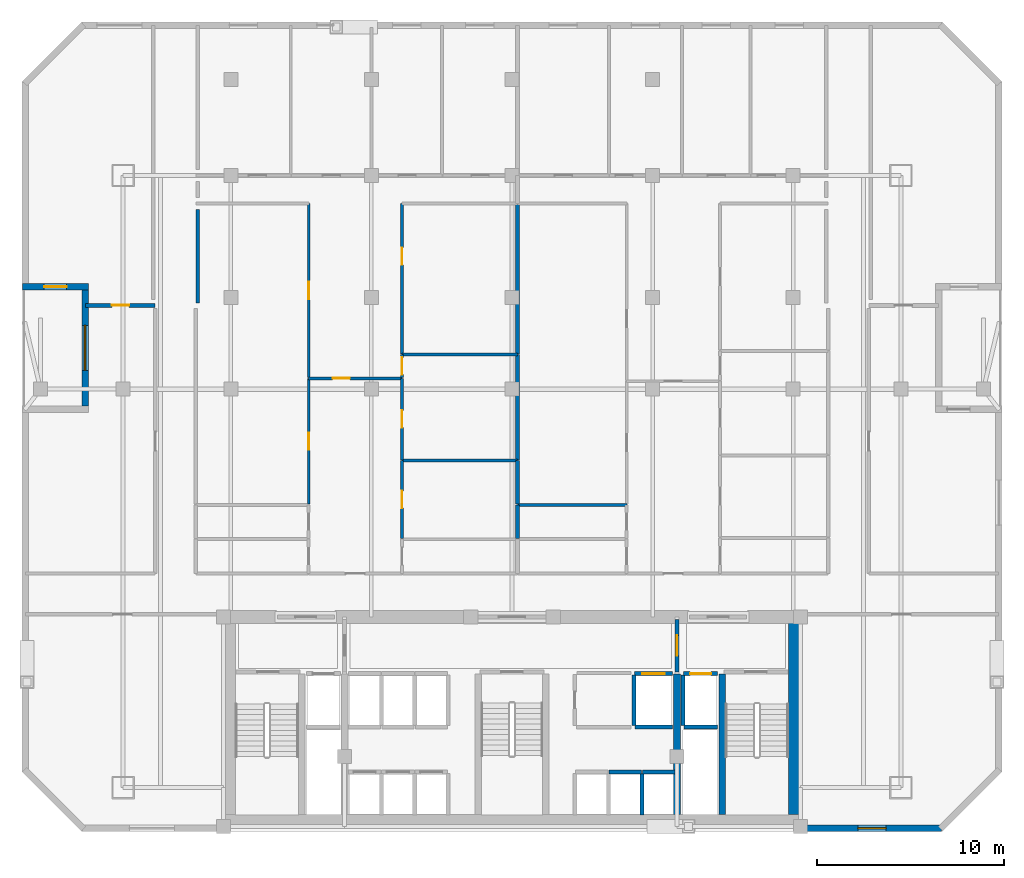
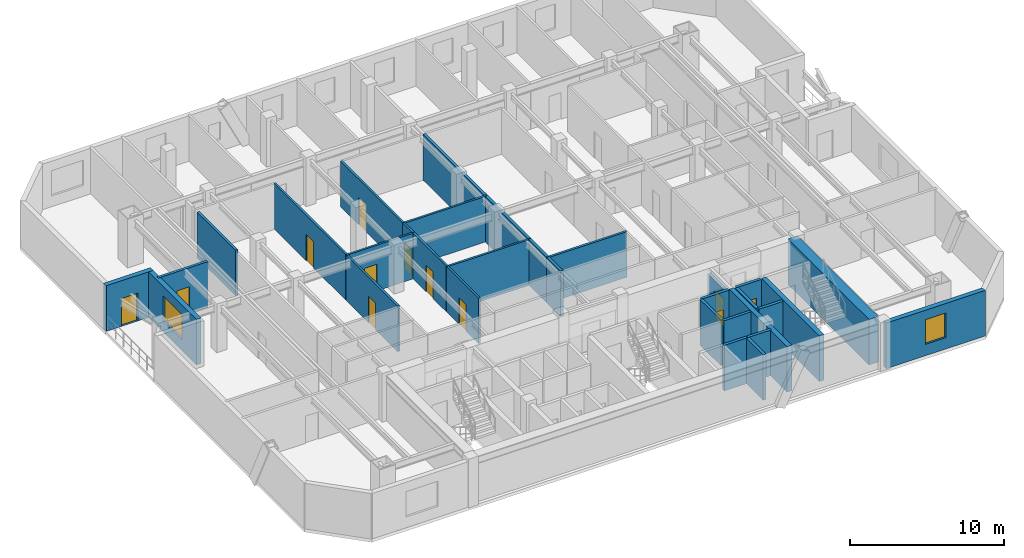
# One storey, part 4 of 9: 32 walls, 12 doors, 2 windows, 14 openings.
"""IFC4 building model written with IfcOpenShell, lengths in metres."""

from ifc_helpers import new_model, si_unit, direction, frame, frame_2d, origin, place, context, subcontext, project, spatial, rectangle, extrude, material, layer, layer_set, type_object, element, fill, save


model = new_model("IFC4")

# Units and contexts
model_context = context("Model", 3, precision=1e-05, world=origin(), true_north=direction((0.0, 1.0)))
body_context = subcontext(model_context, "Body", "Model", "MODEL_VIEW")
ifc_project = project(units=[si_unit("LENGTHUNIT", "METRE"), si_unit("AREAUNIT", "SQUARE_METRE"), si_unit("VOLUMEUNIT", "CUBIC_METRE"), si_unit("PLANEANGLEUNIT", "RADIAN"), si_unit("MASSUNIT", "GRAM", prefix="KILO")], contexts=[model_context])

# Site, building, storey
site_placement = place(None, origin())
site = spatial("IfcSite", under=ifc_project, at=site_placement, CompositionType="ELEMENT")
building_placement = place(site_placement, origin())
building = spatial("IfcBuilding", under=site, at=building_placement, Name="Ventersveld Concourse Tower", CompositionType="ELEMENT")
storey_placement = place(building_placement, frame((0.0, 0.0, 108.0)))
storey = spatial("IfcBuildingStorey", under=building, at=storey_placement, Name="L26", CompositionType="ELEMENT", Elevation=108.0)

# Walls
ifc_material_1 = material(Name="Concrete C60/75", Category="concrete")
ifc_layer_1 = layer(ifc_material_1, 0.35009765625)
ifc_layer_set_1 = layer_set([ifc_layer_1], Name="Concrete C60/75")
wall_type_1 = type_object("IfcWallType", Name="WL-CORE-350L", PredefinedType="SHEAR", material=ifc_layer_set_1)
for number, where, z_axis, x_axis, name in (
    (1, (37.550048828125, 0.919921875, 0.0), (0.0, 0.0, 1.0), (0.0, 1.0, 0.0), "L26 Core Internal Shear Web W-SVL-W"),
    (2, (39.9599609375, 0.919921875, 0.0), (0.0, 0.0, 1.0), (0.0, 1.0, 0.0), "L26 Core Internal Shear Web W-ST2-W"),
):
    element("IfcWall", number, at=place(storey_placement, frame(where, z_axis=z_axis, x_axis=x_axis)), inside=storey, type_object=wall_type_1, Name=name, PredefinedType="SHEAR", context=body_context, shape_type="SweptSolid", body=[
        extrude(rectangle(XDim=7.5, YDim=0.35009765625, at=frame_2d((3.75, 0.0))), origin(), (0.0, 0.0, 1.0), 3.60009765625),
    ])
ifc_layer_2 = layer(ifc_material_1, 0.699951171875)
ifc_layer_set_2 = layer_set([ifc_layer_2], Name="Concrete C60/75")
wall_type_2 = type_object("IfcWallType", Name="WL-CORE-700", PredefinedType="SHEAR", material=ifc_layer_set_2)
wall_1_placement = place(storey_placement, frame((43.85009765625, 0.919921875, 0.0), z_axis=(0.0, 0.0, 1.0), x_axis=(0.0, 1.0, 0.0)))
element("IfcWall", 3, at=wall_1_placement, inside=storey, type_object=wall_type_2, Name="L26 Rear Core East Shear Wall", PredefinedType="SHEAR", context=body_context, shape_type="SweptSolid", body=[
    extrude(rectangle(XDim=10.530029296875, YDim=0.699951171875, at=frame_2d((5.26513671875, 0.0))), origin(), (0.0, 0.0, 1.0), 3.60009765625),
])
ifc_material_2 = material(Name="Fire-rated autoclaved aerated masonry blockwork", Category="masonry")
ifc_layer_3 = layer(ifc_material_2, 0.179931640625)
ifc_layer_set_3 = layer_set([ifc_layer_3], Name="Fire-rated autoclaved aerated masonry blockwork")
wall_type_3 = type_object("IfcWallType", Name="WL-CORR-180", PredefinedType="PARTITIONING", material=ifc_layer_set_3)
wall_2_placement = place(storey_placement, frame((11.97998046875, 28.2099609375, 0.0), z_axis=(0.0, 0.0, 1.0), x_axis=(0.0, 1.0, 0.0)))
element("IfcWall", 4, at=wall_2_placement, inside=storey, type_object=wall_type_3, Name="L26 Room Enclosure Wall SP-L26-26N1-OFFL0", PredefinedType="PARTITIONING", context=body_context, shape_type="SweptSolid", body=[
    extrude(rectangle(XDim=4.965087890625, YDim=0.179931640625, at=frame_2d((2.482421875, 0.0))), origin(), (0.0, 0.0, 1.0), 3.60009765625),
])

# Wall, opening, door
ifc_layer_4 = layer(ifc_material_2, 0.199951171875)
ifc_layer_set_4 = layer_set([ifc_layer_4], Name="Fire-rated autoclaved aerated masonry blockwork")
wall_type_4 = type_object("IfcWallType", Name="WL-DEMISE-200", PredefinedType="PARTITIONING", material=ifc_layer_set_4)
wall_3_placement = place(storey_placement, frame((6.010009765625, 28.070068359375, 0.0), z_axis=(0.0, 0.0, 1.0), x_axis=(1.0, 0.0, 0.0)))
wall_3 = element("IfcWall", 5, at=wall_3_placement, inside=storey, type_object=wall_type_4, Name="L26 Interior Partition SP-L26-NWLNG1-SP-L26-NWLNG2", PredefinedType="PARTITIONING", context=body_context, shape_type="SweptSolid", body=[
    extrude(rectangle(XDim=3.705078125, YDim=0.199951171875, at=frame_2d((1.8525390625, 0.0))), origin(), (0.0, 0.0, 1.0), 3.60009765625),
])
opening_1_placement = place(wall_3_placement, frame((1.392578125, 0.0, 0.0)))
opening_1 = element("IfcOpeningElement", 6, at=opening_1_placement, cuts=wall_3, Name="Opening ID1", PredefinedType="OPENING", context=body_context, shape_type="SweptSolid", body=[
    extrude(rectangle(XDim=0.919921875, YDim=2.10009765625, at=frame_2d((0.4599609375, 1.050048828125))), frame((0.0, 0.10986328125, 0.0), z_axis=(0.0, -1.0, 0.0), x_axis=(1.0, 0.0, 0.0)), (0.0, 0.0, 1.0), 0.219970703125),
])
ifc_material_3 = material(Name="Solid-core hardwood veneer timber", Category="wood")
door_type_1 = type_object("IfcDoorType", Name="DR-ROOM-092", OperationType="NOTDEFINED", PredefinedType="DOOR", material=ifc_material_3)
door_1_placement = place(opening_1_placement, origin())
door_1 = element("IfcDoor", 7, at=door_1_placement, inside=storey, type_object=door_type_1, Name="L26 Interior Door SP-L26-NWLNG1 to SP-L26-NWLNG2 (D-L26-1281)", OperationType="SINGLE_SWING_LEFT", OverallHeight=2.10009765625, OverallWidth=0.919921875, PredefinedType="DOOR", context=body_context, shape_type="SweptSolid", body=[
    extrude(rectangle(XDim=0.919921875, YDim=2.10009765625, at=frame_2d((0.4599609375, 1.050048828125))), frame((0.0, 0.02490234375, 0.0), z_axis=(0.0, -1.0, 0.0), x_axis=(1.0, 0.0, 0.0)), (0.0, 0.0, 1.0), 0.050048828125),
])
fill(opening_1, door_1)

# Walls
wall_4_placement = place(storey_placement, frame((29.036865234375, 15.635009765625, 0.0), z_axis=(0.0, 0.0, 1.0), x_axis=(0.0, 1.0, 0.0)))
element("IfcWall", 8, at=wall_4_placement, inside=storey, type_object=wall_type_4, Name="L26 Interior Partition SP-L26-26N1-MEDR1-SP-L26-26N2-PWDL2", PredefinedType="PARTITIONING", context=body_context, shape_type="SweptSolid", body=[
    extrude(rectangle(XDim=1.800048828125, YDim=0.199951171875, at=frame_2d((0.89990234375, 0.0))), origin(), (0.0, 0.0, 1.0), 3.60009765625),
])
wall_5_placement = place(storey_placement, frame((29.036865234375, 17.465087890625, 0.0), z_axis=(0.0, 0.0, 1.0), x_axis=(0.0, 1.0, 0.0)))
element("IfcWall", 9, at=wall_5_placement, inside=storey, type_object=wall_type_4, Name="L26 Interior Partition SP-L26-26N1-MEDR1-SP-L26-26N2-OFFL0", PredefinedType="PARTITIONING", context=body_context, shape_type="SweptSolid", body=[
    extrude(rectangle(XDim=2.33203125, YDim=0.199951171875, at=frame_2d((1.166015625, 0.0))), origin(), (0.0, 0.0, 1.0), 3.60009765625),
])
wall_6_placement = place(storey_placement, frame((29.036865234375, 19.826904296875, 0.0), z_axis=(0.0, 0.0, 1.0), x_axis=(0.0, 1.0, 0.0)))
element("IfcWall", 10, at=wall_6_placement, inside=storey, type_object=wall_type_4, Name="L26 Interior Partition SP-L26-26N1-DENS-SP-L26-26N2-OFFL0", PredefinedType="PARTITIONING", context=body_context, shape_type="SweptSolid", body=[
    extrude(rectangle(XDim=5.625, YDim=0.199951171875, at=frame_2d((2.8125, 0.0))), origin(), (0.0, 0.0, 1.0), 3.60009765625),
])
wall_7_placement = place(storey_placement, frame((29.036865234375, 25.48193359375, 0.0), z_axis=(0.0, 0.0, 1.0), x_axis=(0.0, 1.0, 0.0)))
element("IfcWall", 11, at=wall_7_placement, inside=storey, type_object=wall_type_4, Name="L26 Interior Partition SP-L26-26N1-DENS2-SP-L26-26N2-OFFL0", PredefinedType="PARTITIONING", context=body_context, shape_type="SweptSolid", body=[
    extrude(rectangle(XDim=7.983154296875, YDim=0.199951171875, at=frame_2d((3.99169921875, 0.0))), origin(), (0.0, 0.0, 1.0), 3.60009765625),
])
ifc_layer_5 = layer(ifc_material_2, 0.219970703125)
ifc_layer_set_5 = layer_set([ifc_layer_5], Name="Fire-rated autoclaved aerated masonry blockwork")
wall_type_5 = type_object("IfcWallType", Name="WL-HOIST-220", PredefinedType="SOLIDWALL", material=ifc_layer_set_5)
wall_8_placement = place(storey_placement, frame((37.919921875, 5.590087890625, 0.0), z_axis=(0.0, 0.0, 1.0), x_axis=(1.0, 0.0, 0.0)))
element("IfcWall", 12, at=wall_8_placement, inside=storey, type_object=wall_type_5, Name="L26 Lift Hoistway Back Wall FFL-02", PredefinedType="SOLIDWALL", context=body_context, shape_type="SweptSolid", body=[
    extrude(rectangle(XDim=1.780029296875, YDim=0.219970703125, at=frame_2d((0.89013671875, 0.0))), origin(), (0.0, 0.0, 1.0), 3.60009765625),
])
wall_9_placement = place(storey_placement, frame((37.8798828125, 5.64990234375, 0.0), z_axis=(0.0, 0.0, 1.0), x_axis=(0.0, 1.0, 0.0)))
element("IfcWall", 13, at=wall_9_placement, inside=storey, type_object=wall_type_5, Name="L26 Lift Hoistway Side Wall FFL-02W", PredefinedType="SOLIDWALL", context=body_context, shape_type="SweptSolid", body=[
    extrude(rectangle(XDim=2.7001953125, YDim=0.219970703125, at=frame_2d((1.35009765625, 0.0))), origin(), (0.0, 0.0, 1.0), 3.60009765625),
])

# Wall, opening, door
wall_10_placement = place(storey_placement, frame((37.89990234375, 8.429931640625, 0.0), z_axis=(0.0, 0.0, 1.0), x_axis=(1.0, 0.0, 0.0)))
wall_10 = element("IfcWall", 14, at=wall_10_placement, inside=storey, type_object=wall_type_5, Name="L26 Lift Hoistway Front Wall FFL-02", PredefinedType="SOLIDWALL", context=body_context, shape_type="SweptSolid", body=[
    extrude(rectangle(XDim=1.820068359375, YDim=0.219970703125, at=frame_2d((0.91015625, 0.0))), origin(), (0.0, 0.0, 1.0), 3.60009765625),
])
opening_2_placement = place(wall_10_placement, frame((0.35009765625, 0.0, 0.0)))
opening_2 = element("IfcOpeningElement", 15, at=opening_2_placement, cuts=wall_10, Name="Opening LD1", PredefinedType="OPENING", context=body_context, shape_type="SweptSolid", body=[
    extrude(rectangle(XDim=1.1201171875, YDim=2.25, at=frame_2d((0.56005859375, 1.125))), frame((0.0, 0.1201171875, 0.0), z_axis=(0.0, -1.0, 0.0), x_axis=(1.0, 0.0, 0.0)), (0.0, 0.0, 1.0), 0.239990234375),
])
ifc_material_4 = material(Name="Brushed stainless steel 316", Category="steel")
door_type_2 = type_object("IfcDoorType", Name="LD-FF-112", OperationType="SLIDING_TO_LEFT", PredefinedType="DOOR", material=ifc_material_4)
door_2_placement = place(opening_2_placement, origin())
door_2 = element("IfcDoor", 16, at=door_2_placement, inside=storey, type_object=door_type_2, Name="L26 Lift landing door FFL-02 (LD-L26-FFL-02)", OperationType="SLIDING_TO_RIGHT", OverallHeight=2.25, OverallWidth=1.1201171875, PredefinedType="DOOR", context=body_context, shape_type="SweptSolid", body=[
    extrude(rectangle(XDim=1.1201171875, YDim=2.25, at=frame_2d((0.56005859375, 1.125))), frame((0.0, 0.02490234375, 0.0), z_axis=(0.0, -1.0, 0.0), x_axis=(1.0, 0.0, 0.0)), (0.0, 0.0, 1.0), 0.050048828125),
])
fill(opening_2, door_2)

# Walls
wall_11_placement = place(storey_placement, frame((35.300048828125, 5.590087890625, 0.0), z_axis=(0.0, 0.0, 1.0), x_axis=(1.0, 0.0, 0.0)))
element("IfcWall", 17, at=wall_11_placement, inside=storey, type_object=wall_type_5, Name="L26 Lift Hoistway Back Wall SVL-01", PredefinedType="SOLIDWALL", context=body_context, shape_type="SweptSolid", body=[
    extrude(rectangle(XDim=2.0, YDim=0.219970703125, at=frame_2d((1.0, 0.0))), origin(), (0.0, 0.0, 1.0), 3.60009765625),
])
wall_12_placement = place(storey_placement, frame((35.260009765625, 5.64990234375, 0.0), z_axis=(0.0, 0.0, 1.0), x_axis=(0.0, 1.0, 0.0)))
element("IfcWall", 18, at=wall_12_placement, inside=storey, type_object=wall_type_5, Name="L26 Lift Hoistway Side Wall SVL-01W", PredefinedType="SOLIDWALL", context=body_context, shape_type="SweptSolid", body=[
    extrude(rectangle(XDim=2.7001953125, YDim=0.219970703125, at=frame_2d((1.35009765625, 0.0))), origin(), (0.0, 0.0, 1.0), 3.60009765625),
])

# Wall, opening, door
wall_13_placement = place(storey_placement, frame((35.280029296875, 8.429931640625, 0.0), z_axis=(0.0, 0.0, 1.0), x_axis=(1.0, 0.0, 0.0)))
wall_13 = element("IfcWall", 19, at=wall_13_placement, inside=storey, type_object=wall_type_5, Name="L26 Lift Hoistway Front Wall SVL-01", PredefinedType="SOLIDWALL", context=body_context, shape_type="SweptSolid", body=[
    extrude(rectangle(XDim=2.0400390625, YDim=0.219970703125, at=frame_2d((1.02001953125, 0.0))), origin(), (0.0, 0.0, 1.0), 3.60009765625),
])
opening_3_placement = place(wall_13_placement, frame((0.429931640625, 0.0, 0.0)))
opening_3 = element("IfcOpeningElement", 20, at=opening_3_placement, cuts=wall_13, Name="Opening LD2", PredefinedType="OPENING", context=body_context, shape_type="SweptSolid", body=[
    extrude(rectangle(XDim=1.179931640625, YDim=2.199951171875, at=frame_2d((0.58984375, 1.10009765625))), frame((0.0, 0.1201171875, 0.0), z_axis=(0.0, -1.0, 0.0), x_axis=(1.0, 0.0, 0.0)), (0.0, 0.0, 1.0), 0.239990234375),
])
door_type_3 = type_object("IfcDoorType", Name="LD-PAX-118", OperationType="SLIDING_TO_LEFT", PredefinedType="DOOR", material=ifc_material_4)
door_3_placement = place(opening_3_placement, origin())
door_3 = element("IfcDoor", 21, at=door_3_placement, inside=storey, type_object=door_type_3, Name="L26 Lift landing door SVL-01 (LD-L26-SVL-01)", OperationType="SLIDING_TO_LEFT", OverallHeight=2.199951171875, OverallWidth=1.179931640625, PredefinedType="DOOR", context=body_context, shape_type="SweptSolid", body=[
    extrude(rectangle(XDim=1.179931640625, YDim=2.199951171875, at=frame_2d((0.58984375, 1.10009765625))), frame((0.0, 0.02490234375, 0.0), z_axis=(0.0, -1.0, 0.0), x_axis=(1.0, 0.0, 0.0)), (0.0, 0.0, 1.0), 0.050048828125),
])
fill(opening_3, door_3)

# Walls
wall_14_placement = place(storey_placement, frame((35.679931640625, 0.89990234375, 0.0), z_axis=(0.0, 0.0, 1.0), x_axis=(0.0, 1.0, 0.0)))
element("IfcWall", 22, at=wall_14_placement, inside=storey, type_object=wall_type_5, Name="L26 Lift Hoistway Side Wall PM-02E", PredefinedType="SOLIDWALL", context=body_context, shape_type="SweptSolid", body=[
    extrude(rectangle(XDim=2.2001953125, YDim=0.219970703125, at=frame_2d((1.10009765625, 0.0))), origin(), (0.0, 0.0, 1.0), 3.60009765625),
])
for number, where, z_axis, x_axis, name in (
    (23, (33.919921875, 3.179931640625, 0.0), (0.0, 0.0, 1.0), (1.0, 0.0, 0.0), "L26 Lift Hoistway Front Wall PM-02"),
    (24, (35.699951171875, 3.179931640625, 0.0), (0.0, 0.0, 1.0), (1.0, 0.0, 0.0), "L26 Lift Hoistway Front Wall PM-03"),
):
    element("IfcWall", number, at=place(storey_placement, frame(where, z_axis=z_axis, x_axis=x_axis)), inside=storey, type_object=wall_type_5, Name=name, PredefinedType="SOLIDWALL", context=body_context, shape_type="SweptSolid", body=[
        extrude(rectangle(XDim=1.739990234375, YDim=0.219970703125, at=frame_2d((0.8701171875, 0.0))), origin(), (0.0, 0.0, 1.0), 3.60009765625),
    ])

# Wall, opening, door
wall_15_placement = place(storey_placement, frame((37.550048828125, 8.52001953125, 0.0), z_axis=(0.0, 0.0, 1.0), x_axis=(0.0, 1.0, 0.0)))
wall_15 = element("IfcWall", 25, at=wall_15_placement, inside=storey, type_object=wall_type_5, Name="L26 Firefighting Lobby Smoke-Stop Wall FFLE-SEP", PredefinedType="SOLIDWALL", context=body_context, shape_type="SweptSolid", body=[
    extrude(rectangle(XDim=2.800048828125, YDim=0.219970703125, at=frame_2d((1.39990234375, 0.0))), origin(), (0.0, 0.0, 1.0), 3.055419921875),
])
opening_4_placement = place(wall_15_placement, frame((0.85009765625, 0.0, 0.0)))
opening_4 = element("IfcOpeningElement", 26, at=opening_4_placement, cuts=wall_15, Name="Opening FD2", PredefinedType="OPENING", context=body_context, shape_type="SweptSolid", body=[
    extrude(rectangle(XDim=1.10009765625, YDim=2.199951171875, at=frame_2d((0.550048828125, 1.10009765625))), frame((0.0, 0.1201171875, 0.0), z_axis=(0.0, -1.0, 0.0), x_axis=(1.0, 0.0, 0.0)), (0.0, 0.0, 1.0), 0.239990234375),
])
ifc_material_5 = material(Name="Galvanised painted steel", Category="steel")
door_type_4 = type_object("IfcDoorType", Name="DR-FFL-110", OperationType="NOTDEFINED", PredefinedType="DOOR", material=ifc_material_5)
door_4_placement = place(opening_4_placement, origin())
door_4 = element("IfcDoor", 27, at=door_4_placement, inside=storey, type_object=door_type_4, Name="L26 Firefighting Lobby Door FFLE-SEP (FD-L26-1270)", OperationType="SINGLE_SWING_RIGHT", OverallHeight=2.199951171875, OverallWidth=1.10009765625, PredefinedType="DOOR", context=body_context, shape_type="SweptSolid", body=[
    extrude(rectangle(XDim=1.10009765625, YDim=2.199951171875, at=frame_2d((0.550048828125, 1.10009765625))), frame((0.0, 0.02490234375, 0.0), z_axis=(0.0, -1.0, 0.0), x_axis=(1.0, 0.0, 0.0)), (0.0, 0.0, 1.0), 0.050048828125),
])
fill(opening_4, door_4)

ifc_material_6 = material(Name="Autoclaved aerated masonry blockwork", Category="masonry")
ifc_layer_6 = layer(ifc_material_6, 0.14990234375)
ifc_layer_set_6 = layer_set([ifc_layer_6], Name="Autoclaved aerated masonry blockwork")
wall_type_6 = type_object("IfcWallType", Name="WL-INT-150", PredefinedType="PARTITIONING", material=ifc_layer_set_6)
wall_16_placement = place(storey_placement, frame((17.89794921875, 24.17919921875, 0.0), z_axis=(0.0, 0.0, 1.0), x_axis=(1.0, 0.0, 0.0)))
wall_16 = element("IfcWall", 28, at=wall_16_placement, inside=storey, type_object=wall_type_6, Name="L26 Interior Partition SP-L26-26N1-FOY-SP-L26-26N1-LIV", PredefinedType="PARTITIONING", context=body_context, shape_type="SweptSolid", body=[
    extrude(rectangle(XDim=4.989990234375, YDim=0.14990234375, at=frame_2d((2.4951171875, 0.0))), origin(), (0.0, 0.0, 1.0), 3.60009765625),
])
opening_5_placement = place(wall_16_placement, frame((1.28662109375, 0.0, 0.0)))
opening_5 = element("IfcOpeningElement", 29, at=opening_5_placement, cuts=wall_16, Name="Opening ID1", PredefinedType="OPENING", context=body_context, shape_type="SweptSolid", body=[
    extrude(rectangle(XDim=0.919921875, YDim=2.10009765625, at=frame_2d((0.4599609375, 1.050048828125))), frame((0.0, 0.0849609375, 0.0), z_axis=(0.0, -1.0, 0.0), x_axis=(1.0, 0.0, 0.0)), (0.0, 0.0, 1.0), 0.169921875),
])
door_5_placement = place(opening_5_placement, origin())
door_5 = element("IfcDoor", 30, at=door_5_placement, inside=storey, type_object=door_type_1, Name="L26 Interior Door SP-L26-26N1-FOY to SP-L26-26N1-LIV (D-L26-1283)", OperationType="SINGLE_SWING_LEFT", OverallHeight=2.10009765625, OverallWidth=0.919921875, PredefinedType="DOOR", context=body_context, shape_type="SweptSolid", body=[
    extrude(rectangle(XDim=0.919921875, YDim=2.10009765625, at=frame_2d((0.4599609375, 1.050048828125))), frame((0.0, 0.02490234375, 0.0), z_axis=(0.0, -1.0, 0.0), x_axis=(1.0, 0.0, 0.0)), (0.0, 0.0, 1.0), 0.050048828125),
])
fill(opening_5, door_5)

wall_17_placement = place(storey_placement, frame((17.90283203125, 17.465087890625, 0.0), z_axis=(0.0, 0.0, 1.0), x_axis=(0.0, 1.0, 0.0)))
wall_17 = element("IfcWall", 31, at=wall_17_placement, inside=storey, type_object=wall_type_6, Name="L26 Interior Partition SP-L26-26N1-FOY-SP-L26-26N1-OFFL0", PredefinedType="PARTITIONING", context=body_context, shape_type="SweptSolid", body=[
    extrude(rectangle(XDim=6.718994140625, YDim=0.14990234375, at=frame_2d((3.359375, 0.0))), origin(), (0.0, 0.0, 1.0), 3.60009765625),
])
opening_6_placement = place(wall_17_placement, frame((2.899658203125, 0.0, 0.0)))
opening_6 = element("IfcOpeningElement", 32, at=opening_6_placement, cuts=wall_17, Name="Opening ID1", PredefinedType="OPENING", context=body_context, shape_type="SweptSolid", body=[
    extrude(rectangle(XDim=0.919921875, YDim=2.10009765625, at=frame_2d((0.4599609375, 1.050048828125))), frame((0.0, 0.0849609375, 0.0), z_axis=(0.0, -1.0, 0.0), x_axis=(1.0, 0.0, 0.0)), (0.0, 0.0, 1.0), 0.169921875),
])
door_6_placement = place(opening_6_placement, origin())
door_6 = element("IfcDoor", 33, at=door_6_placement, inside=storey, type_object=door_type_1, Name="L26 Interior Door SP-L26-26N1-FOY to SP-L26-26N1-OFFL0 (D-L26-1286)", OperationType="SINGLE_SWING_RIGHT", OverallHeight=2.10009765625, OverallWidth=0.919921875, PredefinedType="DOOR", context=body_context, shape_type="SweptSolid", body=[
    extrude(rectangle(XDim=0.919921875, YDim=2.10009765625, at=frame_2d((0.4599609375, 1.050048828125))), frame((0.0, 0.02490234375, 0.0), z_axis=(0.0, -1.0, 0.0), x_axis=(1.0, 0.0, 0.0)), (0.0, 0.0, 1.0), 0.050048828125),
])
fill(opening_6, door_6)

wall_18_placement = place(storey_placement, frame((22.8828125, 15.635009765625, 0.0), z_axis=(0.0, 0.0, 1.0), x_axis=(0.0, 1.0, 0.0)))
wall_18 = element("IfcWall", 34, at=wall_18_placement, inside=storey, type_object=wall_type_6, Name="L26 Interior Partition SP-L26-26N1-FOY-SP-L26-26N1-MEDR1", PredefinedType="PARTITIONING", context=body_context, shape_type="SweptSolid", body=[
    extrude(rectangle(XDim=4.162109375, YDim=0.14990234375, at=frame_2d((2.0810546875, 0.0))), origin(), (0.0, 0.0, 1.0), 3.60009765625),
])
opening_7_placement = place(wall_18_placement, frame((1.62109375, 0.0, 0.0)))
opening_7 = element("IfcOpeningElement", 35, at=opening_7_placement, cuts=wall_18, Name="Opening ID1", PredefinedType="OPENING", context=body_context, shape_type="SweptSolid", body=[
    extrude(rectangle(XDim=0.919921875, YDim=2.10009765625, at=frame_2d((0.4599609375, 1.050048828125))), frame((0.0, 0.0849609375, 0.0), z_axis=(0.0, -1.0, 0.0), x_axis=(1.0, 0.0, 0.0)), (0.0, 0.0, 1.0), 0.169921875),
])
door_7_placement = place(opening_7_placement, origin())
door_7 = element("IfcDoor", 36, at=door_7_placement, inside=storey, type_object=door_type_1, Name="L26 Interior Door SP-L26-26N1-FOY to SP-L26-26N1-MEDR1 (D-L26-1288)", OperationType="SINGLE_SWING_RIGHT", OverallHeight=2.10009765625, OverallWidth=0.919921875, PredefinedType="DOOR", context=body_context, shape_type="SweptSolid", body=[
    extrude(rectangle(XDim=0.919921875, YDim=2.10009765625, at=frame_2d((0.4599609375, 1.050048828125))), frame((0.0, 0.02490234375, 0.0), z_axis=(0.0, -1.0, 0.0), x_axis=(1.0, 0.0, 0.0)), (0.0, 0.0, 1.0), 0.050048828125),
])
fill(opening_7, door_7)

wall_19_placement = place(storey_placement, frame((22.8828125, 19.826904296875, 0.0), z_axis=(0.0, 0.0, 1.0), x_axis=(0.0, 1.0, 0.0)))
wall_19 = element("IfcWall", 37, at=wall_19_placement, inside=storey, type_object=wall_type_6, Name="L26 Interior Partition SP-L26-26N1-FOY-SP-L26-26N1-DENS", PredefinedType="PARTITIONING", context=body_context, shape_type="SweptSolid", body=[
    extrude(rectangle(XDim=4.357177734375, YDim=0.14990234375, at=frame_2d((2.1787109375, 0.0))), origin(), (0.0, 0.0, 1.0), 3.60009765625),
])
opening_8_placement = place(wall_19_placement, frame((1.718505859375, 0.0, 0.0)))
opening_8 = element("IfcOpeningElement", 38, at=opening_8_placement, cuts=wall_19, Name="Opening ID1", PredefinedType="OPENING", context=body_context, shape_type="SweptSolid", body=[
    extrude(rectangle(XDim=0.919921875, YDim=2.10009765625, at=frame_2d((0.4599609375, 1.050048828125))), frame((0.0, 0.0849609375, 0.0), z_axis=(0.0, -1.0, 0.0), x_axis=(1.0, 0.0, 0.0)), (0.0, 0.0, 1.0), 0.169921875),
])
door_8_placement = place(opening_8_placement, origin())
door_8 = element("IfcDoor", 39, at=door_8_placement, inside=storey, type_object=door_type_1, Name="L26 Interior Door SP-L26-26N1-FOY to SP-L26-26N1-DENS (D-L26-1289)", OperationType="SINGLE_SWING_LEFT", OverallHeight=2.10009765625, OverallWidth=0.919921875, PredefinedType="DOOR", context=body_context, shape_type="SweptSolid", body=[
    extrude(rectangle(XDim=0.919921875, YDim=2.10009765625, at=frame_2d((0.4599609375, 1.050048828125))), frame((0.0, 0.02490234375, 0.0), z_axis=(0.0, -1.0, 0.0), x_axis=(1.0, 0.0, 0.0)), (0.0, 0.0, 1.0), 0.050048828125),
])
fill(opening_8, door_8)

wall_20_placement = place(storey_placement, frame((17.90283203125, 24.214111328125, 0.0), z_axis=(0.0, 0.0, 1.0), x_axis=(0.0, 1.0, 0.0)))
wall_20 = element("IfcWall", 40, at=wall_20_placement, inside=storey, type_object=wall_type_6, Name="L26 Interior Partition SP-L26-26N1-LIV-SP-L26-26N1-OFFL0", PredefinedType="PARTITIONING", context=body_context, shape_type="SweptSolid", body=[
    extrude(rectangle(XDim=9.290771484375, YDim=0.14990234375, at=frame_2d((4.6455078125, 0.0))), origin(), (0.0, 0.0, 1.0), 3.60009765625),
])
opening_9_placement = place(wall_20_placement, frame((4.185302734375, 0.0, 0.0)))
opening_9 = element("IfcOpeningElement", 41, at=opening_9_placement, cuts=wall_20, Name="Opening ID1", PredefinedType="OPENING", context=body_context, shape_type="SweptSolid", body=[
    extrude(rectangle(XDim=0.919921875, YDim=2.10009765625, at=frame_2d((0.4599609375, 1.050048828125))), frame((0.0, 0.0849609375, 0.0), z_axis=(0.0, -1.0, 0.0), x_axis=(1.0, 0.0, 0.0)), (0.0, 0.0, 1.0), 0.169921875),
])
door_9_placement = place(opening_9_placement, origin())
door_9 = element("IfcDoor", 42, at=door_9_placement, inside=storey, type_object=door_type_1, Name="L26 Interior Door SP-L26-26N1-LIV to SP-L26-26N1-OFFL0 (D-L26-1290)", OperationType="SINGLE_SWING_RIGHT", OverallHeight=2.10009765625, OverallWidth=0.919921875, PredefinedType="DOOR", context=body_context, shape_type="SweptSolid", body=[
    extrude(rectangle(XDim=0.919921875, YDim=2.10009765625, at=frame_2d((0.4599609375, 1.050048828125))), frame((0.0, 0.02490234375, 0.0), z_axis=(0.0, -1.0, 0.0), x_axis=(1.0, 0.0, 0.0)), (0.0, 0.0, 1.0), 0.050048828125),
])
fill(opening_9, door_9)

wall_21_placement = place(storey_placement, frame((22.8828125, 24.214111328125, 0.0), z_axis=(0.0, 0.0, 1.0), x_axis=(0.0, 1.0, 0.0)))
wall_21 = element("IfcWall", 43, at=wall_21_placement, inside=storey, type_object=wall_type_6, Name="L26 Interior Partition SP-L26-26N1-LIV-SP-L26-26N1-DENS", PredefinedType="PARTITIONING", context=body_context, shape_type="SweptSolid", body=[
    extrude(rectangle(XDim=1.23779296875, YDim=0.14990234375, at=frame_2d((0.618896484375, 0.0))), origin(), (0.0, 0.0, 1.0), 3.60009765625),
])
opening_10_placement = place(wall_21_placement, frame((0.15869140625, 0.0, 0.0)))
opening_10 = element("IfcOpeningElement", 44, at=opening_10_placement, cuts=wall_21, Name="Opening ID1", PredefinedType="OPENING", context=body_context, shape_type="SweptSolid", body=[
    extrude(rectangle(XDim=0.919921875, YDim=2.10009765625, at=frame_2d((0.4599609375, 1.050048828125))), frame((0.0, 0.0849609375, 0.0), z_axis=(0.0, -1.0, 0.0), x_axis=(1.0, 0.0, 0.0)), (0.0, 0.0, 1.0), 0.169921875),
])
door_10_placement = place(opening_10_placement, origin())
door_10 = element("IfcDoor", 45, at=door_10_placement, inside=storey, type_object=door_type_1, Name="L26 Interior Door SP-L26-26N1-LIV to SP-L26-26N1-DENS (D-L26-1291)", OperationType="SINGLE_SWING_LEFT", OverallHeight=2.10009765625, OverallWidth=0.919921875, PredefinedType="DOOR", context=body_context, shape_type="SweptSolid", body=[
    extrude(rectangle(XDim=0.919921875, YDim=2.10009765625, at=frame_2d((0.4599609375, 1.050048828125))), frame((0.0, 0.02490234375, 0.0), z_axis=(0.0, -1.0, 0.0), x_axis=(1.0, 0.0, 0.0)), (0.0, 0.0, 1.0), 0.050048828125),
])
fill(opening_10, door_10)

wall_22_placement = place(storey_placement, frame((22.8828125, 25.48193359375, 0.0), z_axis=(0.0, 0.0, 1.0), x_axis=(0.0, 1.0, 0.0)))
wall_22 = element("IfcWall", 46, at=wall_22_placement, inside=storey, type_object=wall_type_6, Name="L26 Interior Partition SP-L26-26N1-LIV-SP-L26-26N1-DENS2", PredefinedType="PARTITIONING", context=body_context, shape_type="SweptSolid", body=[
    extrude(rectangle(XDim=8.02294921875, YDim=0.14990234375, at=frame_2d((4.011474609375, 0.0))), origin(), (0.0, 0.0, 1.0), 3.60009765625),
])
opening_11_placement = place(wall_22_placement, frame((4.7548828125, 0.0, 0.0)))
opening_11 = element("IfcOpeningElement", 47, at=opening_11_placement, cuts=wall_22, Name="Opening ID1", PredefinedType="OPENING", context=body_context, shape_type="SweptSolid", body=[
    extrude(rectangle(XDim=0.919921875, YDim=2.10009765625, at=frame_2d((0.4599609375, 1.050048828125))), frame((0.0, 0.0849609375, 0.0), z_axis=(0.0, -1.0, 0.0), x_axis=(1.0, 0.0, 0.0)), (0.0, 0.0, 1.0), 0.169921875),
])
door_11_placement = place(opening_11_placement, origin())
door_11 = element("IfcDoor", 48, at=door_11_placement, inside=storey, type_object=door_type_1, Name="L26 Interior Door SP-L26-26N1-LIV to SP-L26-26N1-DENS2 (D-L26-1292)", OperationType="SINGLE_SWING_RIGHT", OverallHeight=2.10009765625, OverallWidth=0.919921875, PredefinedType="DOOR", context=body_context, shape_type="SweptSolid", body=[
    extrude(rectangle(XDim=0.919921875, YDim=2.10009765625, at=frame_2d((0.4599609375, 1.050048828125))), frame((0.0, 0.02490234375, 0.0), z_axis=(0.0, -1.0, 0.0), x_axis=(1.0, 0.0, 0.0)), (0.0, 0.0, 1.0), 0.050048828125),
])
fill(opening_11, door_11)

# Walls
for number, where, z_axis, x_axis, name in (
    (49, (22.8779296875, 19.7919921875, 0.0), (0.0, 0.0, 1.0), (1.0, 0.0, 0.0), "L26 Interior Partition SP-L26-26N1-MEDR1-SP-L26-26N1-DENS"),
    (50, (22.8779296875, 25.447021484375, 0.0), (0.0, 0.0, 1.0), (1.0, 0.0, 0.0), "L26 Interior Partition SP-L26-26N1-DENS-SP-L26-26N1-DENS2"),
):
    element("IfcWall", number, at=place(storey_placement, frame(where, z_axis=z_axis, x_axis=x_axis)), inside=storey, type_object=wall_type_6, Name=name, PredefinedType="PARTITIONING", context=body_context, shape_type="SweptSolid", body=[
        extrude(rectangle(XDim=6.1640625, YDim=0.14990234375, at=frame_2d((3.08203125, 0.0))), origin(), (0.0, 0.0, 1.0), 3.60009765625),
    ])

# Wall, opening, window
ifc_material_7 = material(Name="Precast concrete C45/55", Category="concrete")
ifc_layer_7 = layer(ifc_material_7, 0.35009765625)
ifc_layer_set_7 = layer_set([ifc_layer_7], Name="Precast concrete C45/55")
wall_type_7 = type_object("IfcWallType", Name="WL-PREC-350", PredefinedType="SOLIDWALL", material=ifc_layer_set_7)
wall_23_placement = place(storey_placement, frame((44.25, 0.179931640625, 0.0), z_axis=(0.0, 0.0, 1.0), x_axis=(1.0, 0.0, 0.0)))
wall_23 = element("IfcWall", 51, at=wall_23_placement, inside=storey, type_object=wall_type_7, Name="L26 South-East Flank Precast Wall", PredefinedType="SOLIDWALL", context=body_context, shape_type="SweptSolid", body=[
    extrude(rectangle(XDim=7.409912109375, YDim=0.35009765625, at=frame_2d((3.705078125, 0.0))), origin(), (0.0, 0.0, 1.0), 3.60009765625),
])
opening_12_placement = place(wall_23_placement, frame((2.955078125, 0.0, 0.89990234375)))
opening_12 = element("IfcOpeningElement", 52, at=opening_12_placement, cuts=wall_23, Name="Opening W1", PredefinedType="OPENING", context=body_context, shape_type="SweptSolid", body=[
    extrude(rectangle(XDim=1.5, YDim=1.949951171875, at=frame_2d((0.75, 0.97509765625))), frame((0.0, 0.18505859375, 0.0), z_axis=(0.0, -1.0, 0.0), x_axis=(1.0, 0.0, 0.0)), (0.0, 0.0, 1.0), 0.3701171875),
])
ifc_material_8 = material(Name="Tempered acoustic Low-E IGU", Category="glass")
window_type_1 = type_object("IfcWindowType", Name="WIN-150x210", PartitioningType="SINGLE_PANEL", PredefinedType="WINDOW", material=ifc_material_8)
window_1_placement = place(opening_12_placement, origin())
window_1 = element("IfcWindow", 53, at=window_1_placement, inside=storey, type_object=window_type_1, Name="L26 Punched Low-E Window W-0306", OverallHeight=1.949951171875, OverallWidth=1.5, PartitioningType="SINGLE_PANEL", PredefinedType="WINDOW", context=body_context, shape_type="SweptSolid", body=[
    extrude(rectangle(XDim=1.5, YDim=1.949951171875, at=frame_2d((0.75, 0.97509765625))), frame((0.0, 0.030029296875, 0.0), z_axis=(0.0, -1.0, 0.0), x_axis=(1.0, 0.0, 0.0)), (0.0, 0.0, 1.0), 0.06005859375),
])
fill(opening_12, window_1)

# Wall, opening, door
wall_24_placement = place(storey_placement, frame((2.639892578125, 29.074951171875, 0.0), z_axis=(0.0, 0.0, 1.0), x_axis=(1.0, 0.0, 0.0)))
wall_24 = element("IfcWall", 54, at=wall_24_placement, inside=storey, type_object=wall_type_7, Name="L26 Highveld Precast Facade Wall E12", PredefinedType="SOLIDWALL", context=body_context, shape_type="SweptSolid", body=[
    extrude(rectangle(XDim=3.510009765625, YDim=0.35009765625, at=frame_2d((1.7548828125, 0.0))), origin(), (0.0, 0.0, 1.0), 3.60009765625),
])
opening_13_placement = place(wall_24_placement, frame((1.155029296875, 0.0, 0.0)))
opening_13 = element("IfcOpeningElement", 55, at=opening_13_placement, cuts=wall_24, Name="Opening TD1", PredefinedType="OPENING", context=body_context, shape_type="SweptSolid", body=[
    extrude(rectangle(XDim=1.199951171875, YDim=2.199951171875, at=frame_2d((0.60009765625, 1.10009765625))), frame((0.0, 0.18505859375, 0.0), z_axis=(0.0, -1.0, 0.0), x_axis=(1.0, 0.0, 0.0)), (0.0, 0.0, 1.0), 0.3701171875),
])
ifc_material_9 = material(Name="Anodised aluminium EN AW-6063-T6", Category="aluminium")
door_type_5 = type_object("IfcDoorType", Name="DR-TERR-120", OperationType="NOTDEFINED", PredefinedType="DOOR", material=ifc_material_9)
door_12_placement = place(opening_13_placement, frame((1.199951171875, 0.0, 0.0), z_axis=(0.0, 0.0, 1.0), x_axis=(-1.0, 0.0, 0.0)))
door_12 = element("IfcDoor", 56, at=door_12_placement, inside=storey, type_object=door_type_5, Name="L26 Stepped Valley Terrace Door TD-L26-01", OperationType="SINGLE_SWING_LEFT", OverallHeight=2.199951171875, OverallWidth=1.199951171875, PredefinedType="DOOR", context=body_context, shape_type="SweptSolid", body=[
    extrude(rectangle(XDim=1.199951171875, YDim=2.199951171875, at=frame_2d((0.60009765625, 1.10009765625))), frame((0.0, 0.02490234375, 0.0), z_axis=(0.0, -1.0, 0.0), x_axis=(1.0, 0.0, 0.0)), (0.0, 0.0, 1.0), 0.050048828125),
])
fill(opening_13, door_12)

# Wall, opening, window
wall_25_placement = place(storey_placement, frame((5.97509765625, 28.89990234375, 0.0), z_axis=(0.0, 0.0, 1.0), x_axis=(0.0, -1.0, 0.0)))
wall_25 = element("IfcWall", 57, at=wall_25_placement, inside=storey, type_object=wall_type_7, Name="L26 Highveld Precast Facade Wall E13", PredefinedType="SOLIDWALL", context=body_context, shape_type="SweptSolid", body=[
    extrude(rectangle(XDim=6.199951171875, YDim=0.35009765625, at=frame_2d((3.10009765625, 0.0))), origin(), (0.0, 0.0, 1.0), 3.60009765625),
])
opening_14_placement = place(wall_25_placement, frame((1.89990234375, 0.0, 0.85009765625)))
opening_14 = element("IfcOpeningElement", 58, at=opening_14_placement, cuts=wall_25, Name="Opening W5", PredefinedType="OPENING", context=body_context, shape_type="SweptSolid", body=[
    extrude(rectangle(XDim=2.39990234375, YDim=2.0, at=frame_2d((1.199951171875, 1.0))), frame((0.0, 0.18505859375, 0.0), z_axis=(0.0, -1.0, 0.0), x_axis=(1.0, 0.0, 0.0)), (0.0, 0.0, 1.0), 0.3701171875),
])
window_type_2 = type_object("IfcWindowType", Name="WIN-240x210", PartitioningType="SINGLE_PANEL", PredefinedType="WINDOW", material=ifc_material_8)
window_2_placement = place(opening_14_placement, origin())
window_2 = element("IfcWindow", 59, at=window_2_placement, inside=storey, type_object=window_type_2, Name="L26 Punched Low-E Window W-0307", OverallHeight=2.0, OverallWidth=2.39990234375, PartitioningType="SINGLE_PANEL", PredefinedType="WINDOW", context=body_context, shape_type="SweptSolid", body=[
    extrude(rectangle(XDim=2.39990234375, YDim=2.0, at=frame_2d((1.199951171875, 1.0))), frame((0.0, 0.030029296875, 0.0), z_axis=(0.0, -1.0, 0.0), x_axis=(1.0, 0.0, 0.0)), (0.0, 0.0, 1.0), 0.06005859375),
])
fill(opening_14, window_2)

# Wall
ifc_layer_8 = layer(ifc_material_6, 0.1650390625)
ifc_layer_set_8 = layer_set([ifc_layer_8], Name="Autoclaved aerated masonry blockwork")
wall_type_8 = type_object("IfcWallType", Name="WL-WET-165", PredefinedType="PLUMBINGWALL", material=ifc_layer_set_8)
wall_26_placement = place(storey_placement, frame((29.031982421875, 17.429931640625, 0.0), z_axis=(0.0, 0.0, 1.0), x_axis=(1.0, 0.0, 0.0)))
element("IfcWall", 60, at=wall_26_placement, inside=storey, type_object=wall_type_8, Name="L26 Interior Partition SP-L26-26N2-PWDL2-SP-L26-26N2-OFFL0", PredefinedType="PLUMBINGWALL", context=body_context, shape_type="SweptSolid", body=[
    extrude(rectangle(XDim=5.840576171875, YDim=0.1650390625, at=frame_2d((2.92041015625, 0.0))), origin(), (0.0, 0.0, 1.0), 3.60009765625),
])

save(model, "model.ifc")
